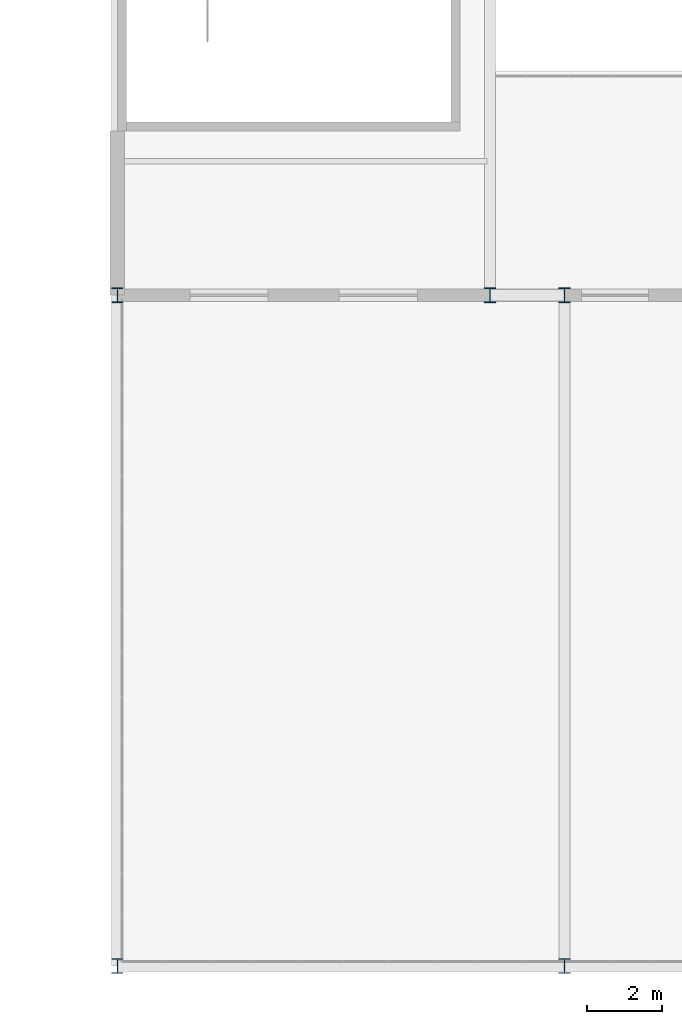
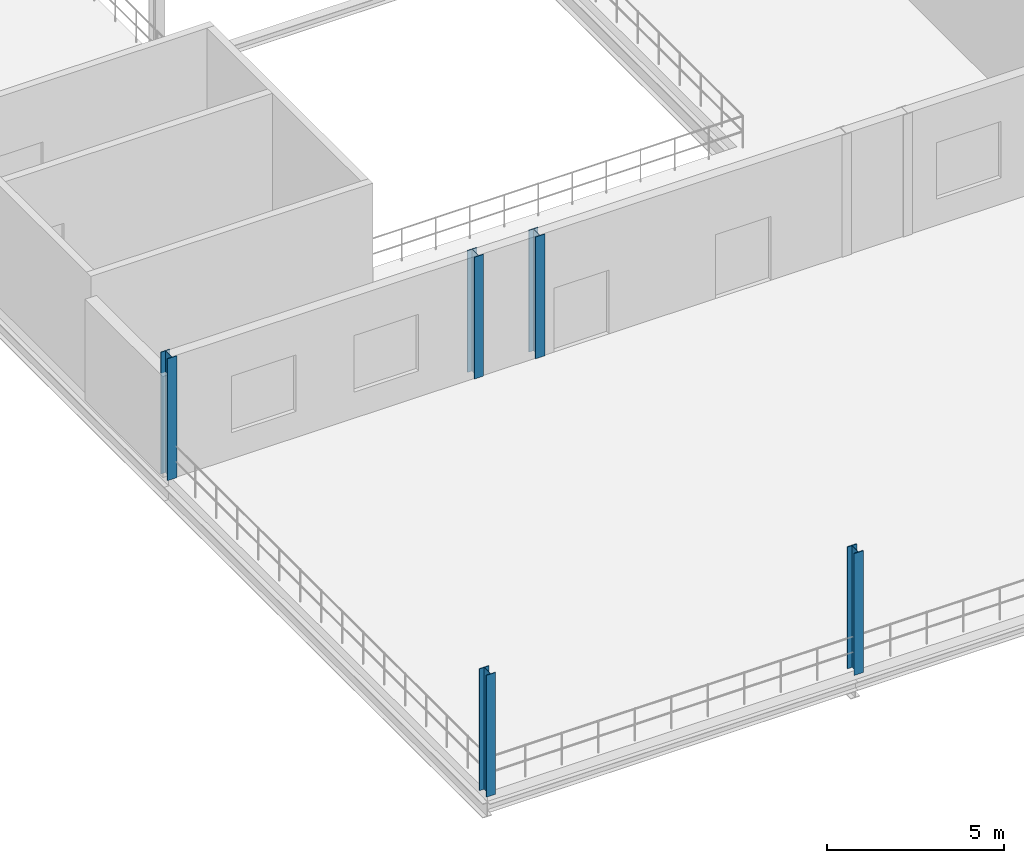
# One storey, part 1 of 147: 5 columns.
"""IFC4 building model written with IfcOpenShell, lengths in metres."""

from ifc_helpers import new_model, si_unit, direction, frame, origin, origin_2d, place, context, subcontext, project, spatial, i_section, extrude, material, material_profile, profile_set, type_object, element, save


model = new_model("IFC4")

# Units and contexts
model_context = context("Model", 3, precision=1e-05, world=origin(), true_north=direction((0.0, 1.0)))
body_context = subcontext(model_context, "Body", "Model", "MODEL_VIEW")
ifc_project = project(units=[si_unit("LENGTHUNIT", "METRE"), si_unit("AREAUNIT", "SQUARE_METRE"), si_unit("VOLUMEUNIT", "CUBIC_METRE"), si_unit("PLANEANGLEUNIT", "RADIAN"), si_unit("MASSUNIT", "GRAM", prefix="KILO")], contexts=[model_context])

# Site, building, storey
site_placement = place(None, origin())
site = spatial("IfcSite", under=ifc_project, at=site_placement, CompositionType="ELEMENT")
building_placement = place(site_placement, origin())
building = spatial("IfcBuilding", under=site, at=building_placement, Name="Zilviju Railside Exhibition Hall", CompositionType="ELEMENT")
storey_placement = place(building_placement, frame((0.0, 0.0, 8.39990234375)))
storey = spatial("IfcBuildingStorey", under=building, at=storey_placement, Name="L03", CompositionType="ELEMENT", Elevation=8.39990234375)

# Columns
ifc_material = material(Name="Steel S355J2", Category="steel")
ifc_material_profile = material_profile(ifc_material, i_section(OverallWidth=0.300048828125, OverallDepth=0.39990234375, WebThickness=0.013427734375, FlangeThickness=0.02392578125, at=origin_2d()), Name="HEB 400")
ifc_profile_set = profile_set([ifc_material_profile], Name="Steel S355J2")
column_type = type_object("IfcColumnType", Name="COL-ST-HEB400", PredefinedType="COLUMN", material=ifc_profile_set)
for number, where, z_axis, x_axis, name in (
    (1, (48.0, 0.0, 0.0), (0.0, 0.0, 1.0), (1.0, 0.0, 0.0), "Structural Column L03 (48.0, 0.0)"),
    (2, (60.0, 0.0, 0.0), (0.0, 0.0, 1.0), (1.0, 0.0, 0.0), "Structural Column L03 (60.0, 0.0)"),
    (3, (48.0, 18.0, 0.0), (0.0, 0.0, 1.0), (1.0, 0.0, 0.0), "Structural Column L03 (48.0, 18.0)"),
    (4, (58.0, 18.0, 0.0), (0.0, 0.0, 1.0), (1.0, 0.0, 0.0), "Structural Column L03 (58.0, 18.0)"),
    (5, (60.0, 18.0, 0.0), (0.0, 0.0, 1.0), (1.0, 0.0, 0.0), "Structural Column L03 (60.0, 18.0)"),
):
    element("IfcColumn", number, at=place(storey_placement, frame(where, z_axis=z_axis, x_axis=x_axis)), inside=storey, type_object=column_type, Name=name, PredefinedType="COLUMN", context=body_context, shape_type="SweptSolid", body=[
        extrude(i_section(OverallWidth=0.300048828125, OverallDepth=0.39990234375, WebThickness=0.013427734375, FlangeThickness=0.02392578125, at=origin_2d()), origin(), (0.0, 0.0, 1.0), 4.2001953125),
    ])

save(model, "model.ifc")
